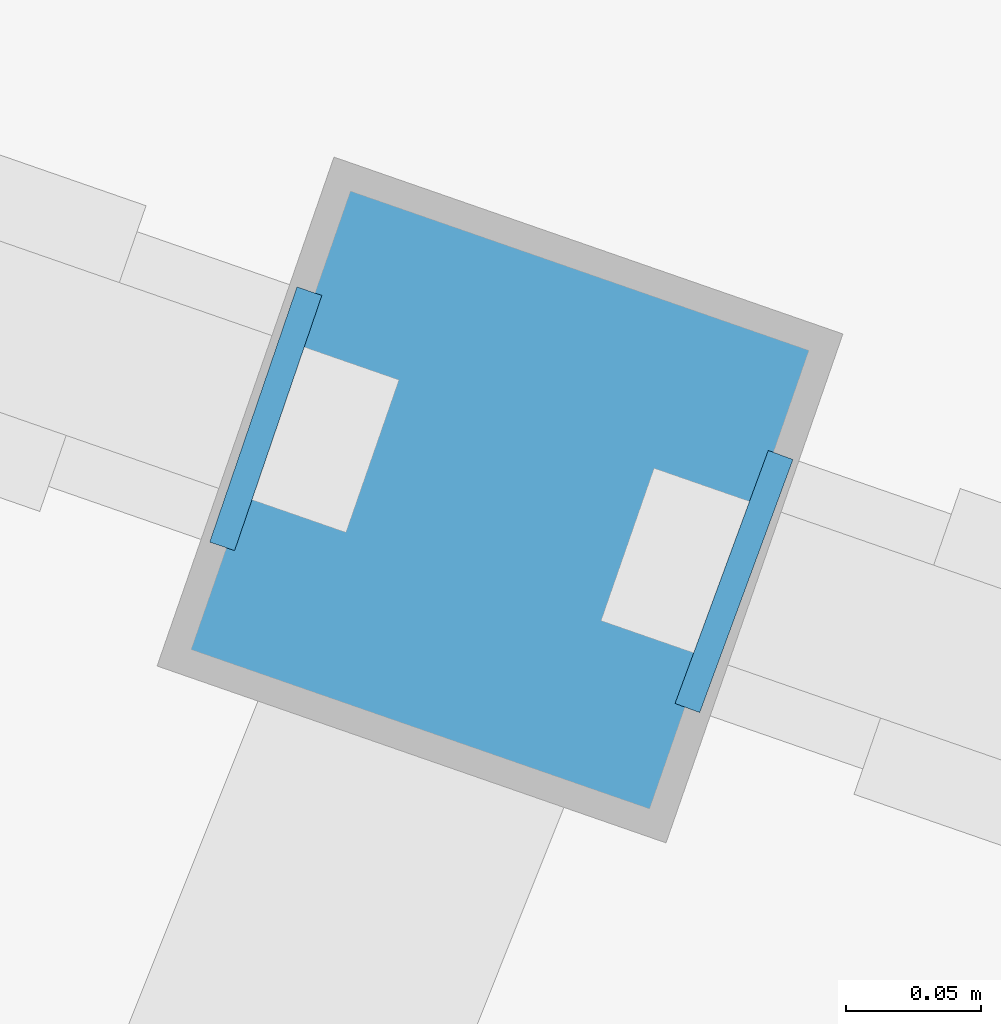
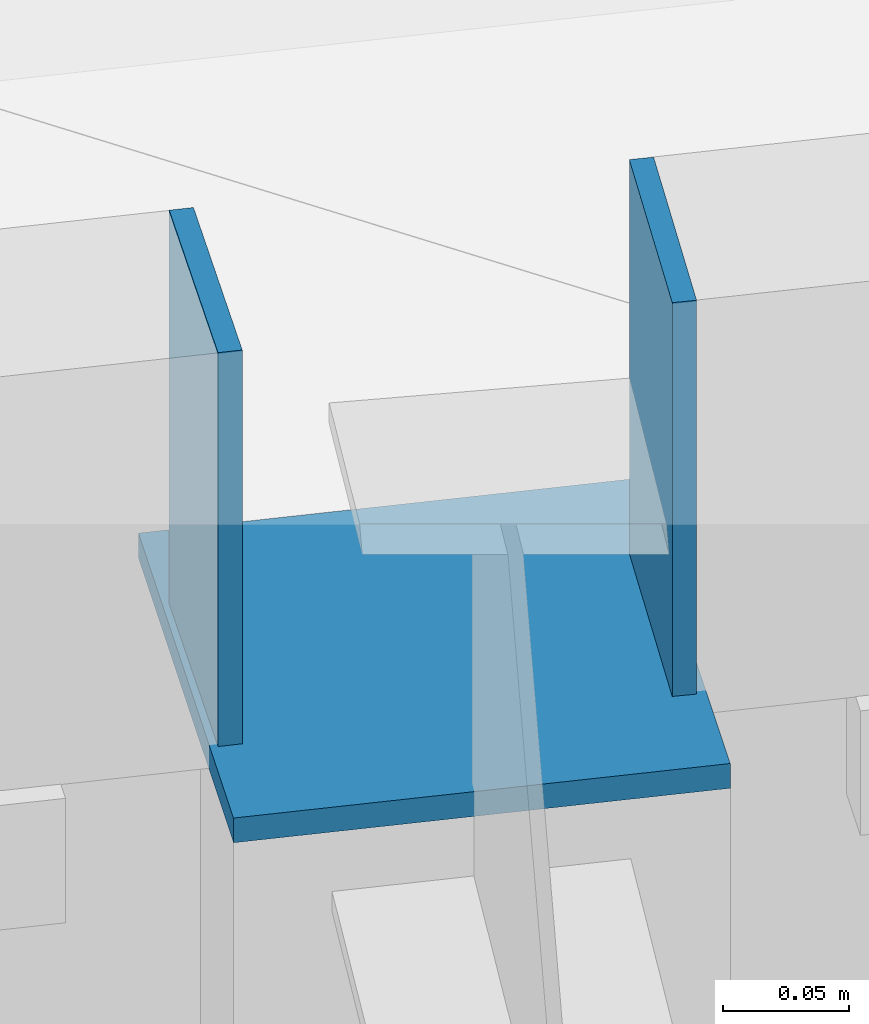
# One storey, part 187 of 226: 3 discrete accessories.
"""IFC4 building model written with IfcOpenShell, lengths in metres."""

from ifc_helpers import new_model, si_unit, direction, frame, origin, origin_2d, place, context, subcontext, project, spatial, rectangle, extrude, material, material_profile, profile_set, type_object, element, save


model = new_model("IFC4")

# Units and contexts
model_context = context("Model", 3, precision=1e-05, world=origin(), true_north=direction((0.0, 1.0)))
body_context = subcontext(model_context, "Body", "Model", "MODEL_VIEW")
ifc_project = project(units=[si_unit("LENGTHUNIT", "METRE"), si_unit("AREAUNIT", "SQUARE_METRE"), si_unit("VOLUMEUNIT", "CUBIC_METRE"), si_unit("PLANEANGLEUNIT", "RADIAN"), si_unit("MASSUNIT", "GRAM", prefix="KILO")], contexts=[model_context])

# Site, building, storey
site_placement = place(None, origin())
site = spatial("IfcSite", under=ifc_project, at=site_placement, CompositionType="ELEMENT")
building_placement = place(site_placement, origin())
building = spatial("IfcBuilding", under=site, at=building_placement, Name="Ceibo Conservatory and Research Tower", CompositionType="ELEMENT")
storey_placement = place(building_placement, origin())
storey = spatial("IfcBuildingStorey", under=building, at=storey_placement, Name="L00", CompositionType="ELEMENT", Elevation=0.0)

# Discrete accessories
ifc_material = material(Name="Steel S355J2", Category="steel")
ifc_material_profile_1 = material_profile(ifc_material, rectangle(XDim=0.10009765625, YDim=0.199951171875, at=origin_2d()), Name="End plate PL 200x100x8")
ifc_profile_set_1 = profile_set([ifc_material_profile_1], Name="Steel S355J2")
discrete_accessory_type_1 = type_object("IfcDiscreteAccessoryType", Name="End plate PL 200x100x8", PredefinedType="USERDEFINED", material=ifc_profile_set_1)
for number, where, z_axis, x_axis, name in (
    (1, (77.369140625, 66.268798828125, 3.89990234375), (0.946163984953, -0.323687679063, 0.0), (0.323687679063, 0.946163984953, 0.0), "Gallery edge beam AUD-VC-EBN02 end plate"),
    (2, (77.54296875, 66.20849609375, 3.89990234375), (0.938343116817, -0.345705358827, 0.0), (0.345705358827, 0.938343116817, 0.0), "Gallery edge beam AUD-VC-EBN03 end plate"),
):
    element("IfcDiscreteAccessory", number, at=place(storey_placement, frame(where, z_axis=z_axis, x_axis=x_axis)), inside=storey, type_object=discrete_accessory_type_1, Name=name, ObjectType="End plate", PredefinedType="USERDEFINED", context=body_context, shape_type="SweptSolid", body=[
        extrude(rectangle(XDim=0.10009765625, YDim=0.199951171875, at=origin_2d()), origin(), (0.0, 0.0, 1.0), 0.009765625),
    ])
ifc_material_profile_2 = material_profile(ifc_material, rectangle(XDim=0.199951171875, YDim=0.199951171875, at=origin_2d()), Name="End plate PL 200x200x10")
ifc_profile_set_2 = profile_set([ifc_material_profile_2], Name="Steel S355J2")
discrete_accessory_type_2 = type_object("IfcDiscreteAccessoryType", Name="End plate PL 200x200x10", PredefinedType="USERDEFINED", material=ifc_profile_set_2)
discrete_accessory_placement = place(storey_placement, frame((77.460693359375, 66.237060546875, 3.798095703125), z_axis=(0.0, 0.0, 1.0), x_axis=(0.944579236191, -0.328283515513, 0.0)))
element("IfcDiscreteAccessory", 3, at=discrete_accessory_placement, inside=storey, type_object=discrete_accessory_type_2, Name="Gallery column AUD-VC-CN02 end plate", ObjectType="End plate", PredefinedType="USERDEFINED", context=body_context, shape_type="SweptSolid", body=[
    extrude(rectangle(XDim=0.199951171875, YDim=0.199951171875, at=origin_2d()), origin(), (0.0, 0.0, 1.0), 0.011962890625),
])

save(model, "model.ifc")
